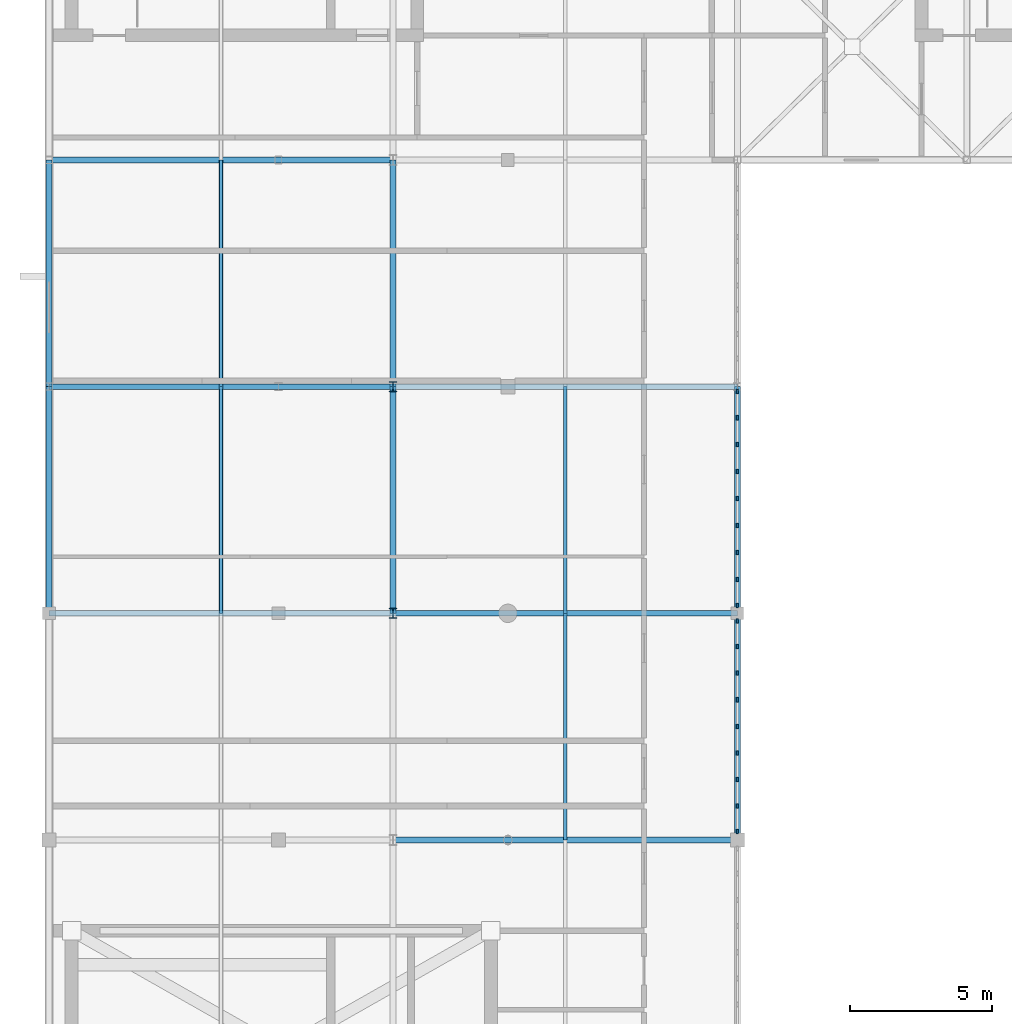
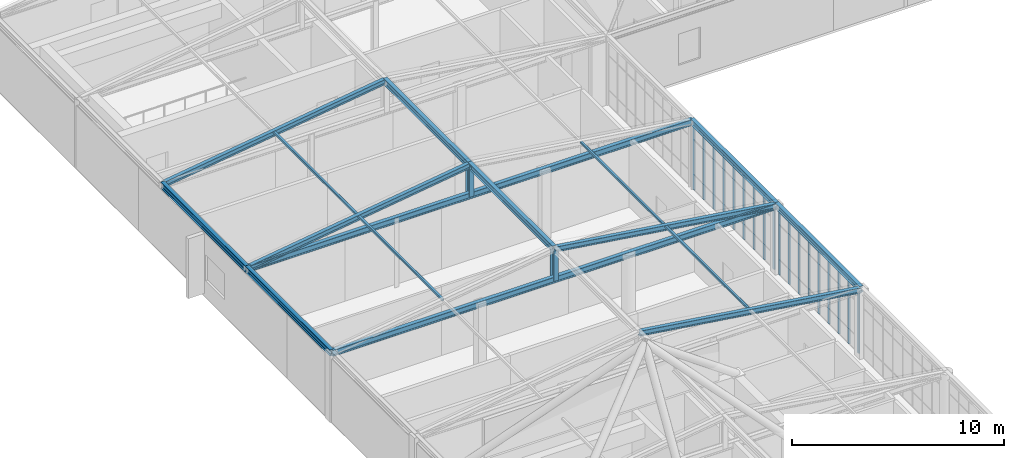
# One storey, part 5 of 21: 28 members, 8 beams, 2 elements without a shape of their own.
"""IFC4 building model written with IfcOpenShell, lengths in metres."""

from ifc_helpers import new_model, si_unit, direction, frame, origin, origin_2d, place, context, subcontext, project, spatial, rectangle, hollow_rectangle, i_section, extrude, material, material_profile, profile_set, type_object, element, aggregate, save


model = new_model("IFC4")

# Units and contexts
model_context = context("Model", 3, precision=1e-05, world=origin(), true_north=direction((0.0, 1.0)))
body_context = subcontext(model_context, "Body", "Model", "MODEL_VIEW")
ifc_project = project(units=[si_unit("LENGTHUNIT", "METRE"), si_unit("AREAUNIT", "SQUARE_METRE"), si_unit("VOLUMEUNIT", "CUBIC_METRE"), si_unit("PLANEANGLEUNIT", "RADIAN"), si_unit("MASSUNIT", "GRAM", prefix="KILO")], contexts=[model_context])

# Site, building, storey
site_placement = place(None, origin())
site = spatial("IfcSite", under=ifc_project, at=site_placement, CompositionType="ELEMENT")
building_placement = place(site_placement, origin())
building = spatial("IfcBuilding", under=site, at=building_placement, Name="Tarnveldt Square Police Headquarters", CompositionType="ELEMENT")
storey_placement = place(building_placement, frame((0.0, 0.0, 33.300048828125)))
storey = spatial("IfcBuildingStorey", under=building, at=storey_placement, Name="L07", CompositionType="ELEMENT", Elevation=33.300048828125)

# Beams
ifc_material_1 = material(Name="Steel 350W", Category="steel")
ifc_material_profile_1 = material_profile(ifc_material_1, i_section(OverallWidth=0.205078125, OverallDepth=0.35400390625, WebThickness=0.009521484375, FlangeThickness=0.016845703125, FilletRadius=0.01611328125, at=origin_2d()), Name="W360x79")
ifc_profile_set_1 = profile_set([ifc_material_profile_1], Name="Steel 350W")
beam_type = type_object("IfcBeamType", Name="BM-W360x79", PredefinedType="JOIST", material=ifc_profile_set_1)
for number, where, z_axis, x_axis, name in (
    (1, (16.199951171875, 80.0, 3.83984375), (1.0, 0.0, 0.0), (0.0, 1.0, 0.0), "L07 Roof Tie Girder 80"),
    (2, (16.199951171875, 88.0, 3.83984375), (1.0, 0.0, 0.0), (0.0, 1.0, 0.0), "L07 Roof Tie Girder 88"),
):
    element("IfcBeam", number, at=place(storey_placement, frame(where, z_axis=z_axis, x_axis=x_axis)), inside=storey, type_object=beam_type, Name=name, PredefinedType="JOIST", context=body_context, shape_type="SweptSolid", body=[
        extrude(i_section(OverallWidth=0.205078125, OverallDepth=0.35400390625, WebThickness=0.009521484375, FlangeThickness=0.016845703125, FilletRadius=0.01611328125, at=origin_2d()), origin(), (0.0, 0.0, 1.0), 24.300048828125),
    ])
for number, where, z_axis, x_axis, name in (
    (3, (40.5, 72.0, 3.83984375), (0.0, 1.0, 0.0), (-1.0, 0.0, 0.0), "L07 Eave Girder E-3"),
    (4, (16.199951171875, 80.0, 3.83984375), (0.0, 1.0, 0.0), (-1.0, 0.0, 0.0), "L07 Eave Girder W-4"),
    (5, (40.5, 80.0, 3.83984375), (0.0, 1.0, 0.0), (-1.0, 0.0, 0.0), "L07 Eave Girder E-4"),
    (6, (28.35009765625, 80.0, 5.579833984375), (0.0, 1.0, 0.0), (-1.0, 0.0, 0.0), "L07 Ridge Beam 4"),
    (7, (16.199951171875, 88.0, 3.83984375), (0.0, 1.0, 0.0), (-1.0, 0.0, 0.0), "L07 Eave Girder W-5"),
    (8, (28.35009765625, 88.0, 5.579833984375), (0.0, 1.0, 0.0), (-1.0, 0.0, 0.0), "L07 Ridge Beam 5"),
):
    element("IfcBeam", number, at=place(storey_placement, frame(where, z_axis=z_axis, x_axis=x_axis)), inside=storey, type_object=beam_type, Name=name, PredefinedType="JOIST", context=body_context, shape_type="SweptSolid", body=[
        extrude(i_section(OverallWidth=0.205078125, OverallDepth=0.35400390625, WebThickness=0.009521484375, FlangeThickness=0.016845703125, FilletRadius=0.01611328125, at=origin_2d()), origin(), (0.0, 0.0, 1.0), 8.0),
    ])

# Curtain wall, members
ifc_material_2 = material(Name="Triple-glazed low-e laminated vision glass", Category="glass")
curtain_wall_type_1 = type_object("IfcCurtainWallType", Name="CW-UP-750x366", PredefinedType="USERDEFINED", material=ifc_material_2)
curtain_wall_1_placement = place(storey_placement, origin())
curtain_wall_1 = element("IfcCurtainWall", 9, at=curtain_wall_1_placement, inside=storey, type_object=curtain_wall_type_1, Name="L07 Curtain Wall CW-L07-096", ObjectType="GLAZED CURTAIN WALL", PredefinedType="USERDEFINED")
ifc_material_3 = material(Name="Thermally broken anodised aluminium 6063-T6", Category="aluminium")
ifc_material_profile_2 = material_profile(ifc_material_3, rectangle(XDim=0.06494140625, YDim=0.159912109375, at=origin_2d()), Name="CW-M65x160")
ifc_profile_set_2 = profile_set([ifc_material_profile_2], Name="Thermally broken anodised aluminium 6063-T6")
member_type_1 = type_object("IfcMemberType", Name="CWM-65x160", PredefinedType="MULLION", material=ifc_profile_set_2)
member_1_placement = place(storey_placement, frame((40.5, 72.297607421875, 0.0), z_axis=(0.0, 0.0, 1.0), x_axis=(-1.0, 0.0, 0.0)))
member_1 = element("IfcMember", 10, at=member_1_placement, type_object=member_type_1, Name="CW-UP53 mullion 1", PredefinedType="MULLION", context=body_context, shape_type="SweptSolid", body=[
    extrude(rectangle(XDim=0.06494140625, YDim=0.159912109375, at=origin_2d()), origin(), (0.0, 0.0, 1.0), 3.655029296875),
])
member_2_placement = place(storey_placement, frame((40.5, 73.201904296875, 0.0), z_axis=(0.0, 0.0, 1.0), x_axis=(-1.0, 0.0, 0.0)))
member_2 = element("IfcMember", 11, at=member_2_placement, type_object=member_type_1, Name="CW-UP53 mullion 2", PredefinedType="MULLION", context=body_context, shape_type="SweptSolid", body=[
    extrude(rectangle(XDim=0.06494140625, YDim=0.159912109375, at=origin_2d()), origin(), (0.0, 0.0, 1.0), 3.655029296875),
])
member_3_placement = place(storey_placement, frame((40.5, 74.138671875, 0.0), z_axis=(0.0, 0.0, 1.0), x_axis=(-1.0, 0.0, 0.0)))
member_3 = element("IfcMember", 12, at=member_3_placement, type_object=member_type_1, Name="CW-UP53 mullion 3", PredefinedType="MULLION", context=body_context, shape_type="SweptSolid", body=[
    extrude(rectangle(XDim=0.06494140625, YDim=0.159912109375, at=origin_2d()), origin(), (0.0, 0.0, 1.0), 3.655029296875),
])
member_4_placement = place(storey_placement, frame((40.5, 75.07568359375, 0.0), z_axis=(0.0, 0.0, 1.0), x_axis=(-1.0, 0.0, 0.0)))
member_4 = element("IfcMember", 13, at=member_4_placement, type_object=member_type_1, Name="CW-UP53 mullion 4", PredefinedType="MULLION", context=body_context, shape_type="SweptSolid", body=[
    extrude(rectangle(XDim=0.06494140625, YDim=0.159912109375, at=origin_2d()), origin(), (0.0, 0.0, 1.0), 3.655029296875),
])
member_5_placement = place(storey_placement, frame((40.5, 76.012451171875, 0.0), z_axis=(0.0, 0.0, 1.0), x_axis=(-1.0, 0.0, 0.0)))
member_5 = element("IfcMember", 14, at=member_5_placement, type_object=member_type_1, Name="CW-UP53 mullion 5", PredefinedType="MULLION", context=body_context, shape_type="SweptSolid", body=[
    extrude(rectangle(XDim=0.06494140625, YDim=0.159912109375, at=origin_2d()), origin(), (0.0, 0.0, 1.0), 3.655029296875),
])
member_6_placement = place(storey_placement, frame((40.5, 76.949462890625, 0.0), z_axis=(0.0, 0.0, 1.0), x_axis=(-1.0, 0.0, 0.0)))
member_6 = element("IfcMember", 15, at=member_6_placement, type_object=member_type_1, Name="CW-UP53 mullion 6", PredefinedType="MULLION", context=body_context, shape_type="SweptSolid", body=[
    extrude(rectangle(XDim=0.06494140625, YDim=0.159912109375, at=origin_2d()), origin(), (0.0, 0.0, 1.0), 3.655029296875),
])
member_7_placement = place(storey_placement, frame((40.5, 77.88623046875, 0.0), z_axis=(0.0, 0.0, 1.0), x_axis=(-1.0, 0.0, 0.0)))
member_7 = element("IfcMember", 16, at=member_7_placement, type_object=member_type_1, Name="CW-UP53 mullion 7", PredefinedType="MULLION", context=body_context, shape_type="SweptSolid", body=[
    extrude(rectangle(XDim=0.06494140625, YDim=0.159912109375, at=origin_2d()), origin(), (0.0, 0.0, 1.0), 3.655029296875),
])
member_8_placement = place(storey_placement, frame((40.5, 78.8232421875, 0.0), z_axis=(0.0, 0.0, 1.0), x_axis=(-1.0, 0.0, 0.0)))
member_8 = element("IfcMember", 17, at=member_8_placement, type_object=member_type_1, Name="CW-UP53 mullion 8", PredefinedType="MULLION", context=body_context, shape_type="SweptSolid", body=[
    extrude(rectangle(XDim=0.06494140625, YDim=0.159912109375, at=origin_2d()), origin(), (0.0, 0.0, 1.0), 3.655029296875),
])
member_9_placement = place(storey_placement, frame((40.5, 79.7275390625, 0.0), z_axis=(0.0, 0.0, 1.0), x_axis=(-1.0, 0.0, 0.0)))
member_9 = element("IfcMember", 18, at=member_9_placement, type_object=member_type_1, Name="CW-UP53 mullion 9", PredefinedType="MULLION", context=body_context, shape_type="SweptSolid", body=[
    extrude(rectangle(XDim=0.06494140625, YDim=0.159912109375, at=origin_2d()), origin(), (0.0, 0.0, 1.0), 3.655029296875),
])
aggregate(curtain_wall_1, [member_1, member_2, member_3, member_4, member_5, member_6, member_7, member_8, member_9])

curtain_wall_type_2 = type_object("IfcCurtainWallType", Name="CW-UP-762x366", PredefinedType="USERDEFINED", material=ifc_material_2)
curtain_wall_2_placement = place(storey_placement, origin())
curtain_wall_2 = element("IfcCurtainWall", 19, at=curtain_wall_2_placement, inside=storey, type_object=curtain_wall_type_2, Name="L07 Curtain Wall CW-L07-097", ObjectType="GLAZED CURTAIN WALL", PredefinedType="USERDEFINED")
member_10_placement = place(storey_placement, frame((40.5, 80.2724609375, 0.0), z_axis=(0.0, 0.0, 1.0), x_axis=(-1.0, 0.0, 0.0)))
member_10 = element("IfcMember", 20, at=member_10_placement, type_object=member_type_1, Name="CW-UP54 mullion 1", PredefinedType="MULLION", context=body_context, shape_type="SweptSolid", body=[
    extrude(rectangle(XDim=0.06494140625, YDim=0.159912109375, at=origin_2d()), origin(), (0.0, 0.0, 1.0), 3.655029296875),
])
member_11_placement = place(storey_placement, frame((40.5, 81.19189453125, 0.0), z_axis=(0.0, 0.0, 1.0), x_axis=(-1.0, 0.0, 0.0)))
member_11 = element("IfcMember", 21, at=member_11_placement, type_object=member_type_1, Name="CW-UP54 mullion 2", PredefinedType="MULLION", context=body_context, shape_type="SweptSolid", body=[
    extrude(rectangle(XDim=0.06494140625, YDim=0.159912109375, at=origin_2d()), origin(), (0.0, 0.0, 1.0), 3.655029296875),
])
member_12_placement = place(storey_placement, frame((40.5, 82.143798828125, 0.0), z_axis=(0.0, 0.0, 1.0), x_axis=(-1.0, 0.0, 0.0)))
member_12 = element("IfcMember", 22, at=member_12_placement, type_object=member_type_1, Name="CW-UP54 mullion 3", PredefinedType="MULLION", context=body_context, shape_type="SweptSolid", body=[
    extrude(rectangle(XDim=0.06494140625, YDim=0.159912109375, at=origin_2d()), origin(), (0.0, 0.0, 1.0), 3.655029296875),
])
member_13_placement = place(storey_placement, frame((40.5, 83.095703125, 0.0), z_axis=(0.0, 0.0, 1.0), x_axis=(-1.0, 0.0, 0.0)))
member_13 = element("IfcMember", 23, at=member_13_placement, type_object=member_type_1, Name="CW-UP54 mullion 4", PredefinedType="MULLION", context=body_context, shape_type="SweptSolid", body=[
    extrude(rectangle(XDim=0.06494140625, YDim=0.159912109375, at=origin_2d()), origin(), (0.0, 0.0, 1.0), 3.655029296875),
])
member_14_placement = place(storey_placement, frame((40.5, 84.047607421875, 0.0), z_axis=(0.0, 0.0, 1.0), x_axis=(-1.0, 0.0, 0.0)))
member_14 = element("IfcMember", 24, at=member_14_placement, type_object=member_type_1, Name="CW-UP54 mullion 5", PredefinedType="MULLION", context=body_context, shape_type="SweptSolid", body=[
    extrude(rectangle(XDim=0.06494140625, YDim=0.159912109375, at=origin_2d()), origin(), (0.0, 0.0, 1.0), 3.655029296875),
])
member_15_placement = place(storey_placement, frame((40.5, 84.999267578125, 0.0), z_axis=(0.0, 0.0, 1.0), x_axis=(-1.0, 0.0, 0.0)))
member_15 = element("IfcMember", 25, at=member_15_placement, type_object=member_type_1, Name="CW-UP54 mullion 6", PredefinedType="MULLION", context=body_context, shape_type="SweptSolid", body=[
    extrude(rectangle(XDim=0.06494140625, YDim=0.159912109375, at=origin_2d()), origin(), (0.0, 0.0, 1.0), 3.655029296875),
])
member_16_placement = place(storey_placement, frame((40.5, 85.951171875, 0.0), z_axis=(0.0, 0.0, 1.0), x_axis=(-1.0, 0.0, 0.0)))
member_16 = element("IfcMember", 26, at=member_16_placement, type_object=member_type_1, Name="CW-UP54 mullion 7", PredefinedType="MULLION", context=body_context, shape_type="SweptSolid", body=[
    extrude(rectangle(XDim=0.06494140625, YDim=0.159912109375, at=origin_2d()), origin(), (0.0, 0.0, 1.0), 3.655029296875),
])
member_17_placement = place(storey_placement, frame((40.5, 86.903076171875, 0.0), z_axis=(0.0, 0.0, 1.0), x_axis=(-1.0, 0.0, 0.0)))
member_17 = element("IfcMember", 27, at=member_17_placement, type_object=member_type_1, Name="CW-UP54 mullion 8", PredefinedType="MULLION", context=body_context, shape_type="SweptSolid", body=[
    extrude(rectangle(XDim=0.06494140625, YDim=0.159912109375, at=origin_2d()), origin(), (0.0, 0.0, 1.0), 3.655029296875),
])
member_18_placement = place(storey_placement, frame((40.5, 87.822509765625, 0.0), z_axis=(0.0, 0.0, 1.0), x_axis=(-1.0, 0.0, 0.0)))
member_18 = element("IfcMember", 28, at=member_18_placement, type_object=member_type_1, Name="CW-UP54 mullion 9", PredefinedType="MULLION", context=body_context, shape_type="SweptSolid", body=[
    extrude(rectangle(XDim=0.06494140625, YDim=0.159912109375, at=origin_2d()), origin(), (0.0, 0.0, 1.0), 3.655029296875),
])
aggregate(curtain_wall_2, [member_10, member_11, member_12, member_13, member_14, member_15, member_16, member_17, member_18])

# Members
ifc_material_profile_3 = material_profile(ifc_material_1, i_section(OverallWidth=0.257080078125, OverallDepth=0.363037109375, WebThickness=0.012939453125, FlangeThickness=0.021728515625, FilletRadius=0.01611328125, at=origin_2d()), Name="W360x122")
ifc_profile_set_3 = profile_set([ifc_material_profile_3], Name="Steel 350W")
member_type_2 = type_object("IfcMemberType", Name="MEM-CT-POST", PredefinedType="STRUT", material=ifc_profile_set_3)
for number, where, z_axis, x_axis, name in (
    (29, (28.35009765625, 80.0, 3.83984375), (0.0, 0.0, 1.0), (1.0, 0.0, 0.0), "L07 Roof King Post 80"),
    (30, (28.35009765625, 88.0, 3.83984375), (0.0, 0.0, 1.0), (1.0, 0.0, 0.0), "L07 Roof King Post 88"),
):
    element("IfcMember", number, at=place(storey_placement, frame(where, z_axis=z_axis, x_axis=x_axis)), inside=storey, type_object=member_type_2, Name=name, PredefinedType="STRUT", context=body_context, shape_type="SweptSolid", body=[
        extrude(i_section(OverallWidth=0.257080078125, OverallDepth=0.363037109375, WebThickness=0.012939453125, FlangeThickness=0.021728515625, FilletRadius=0.01611328125, at=origin_2d()), origin(), (0.0, 0.0, 1.0), 1.739990234375),
    ])
ifc_material_profile_4 = material_profile(ifc_material_1, hollow_rectangle(XDim=0.126953125, YDim=0.126953125, WallThickness=0.008056640625, InnerFilletRadius=0.008056640625, OuterFilletRadius=0.01611328125, at=origin_2d()), Name="HSS127x127x8.0")
ifc_profile_set_4 = profile_set([ifc_material_profile_4], Name="Steel 350W")
member_type_3 = type_object("IfcMemberType", Name="MEM-L07-PUR", PredefinedType="PURLIN", material=ifc_profile_set_4)
for number, where, z_axis, x_axis, name in (
    (31, (34.425048828125, 72.0, 4.760009765625), (0.0, 1.0, 0.0), (-1.0, 0.0, 0.0), "L07 Pitched Roof Purlin E-3"),
    (32, (22.27490234375, 80.0, 4.760009765625), (0.0, 1.0, 0.0), (-1.0, 0.0, 0.0), "L07 Pitched Roof Purlin W-4"),
    (33, (34.425048828125, 80.0, 4.760009765625), (0.0, 1.0, 0.0), (-1.0, 0.0, 0.0), "L07 Pitched Roof Purlin E-4"),
    (34, (22.27490234375, 88.0, 4.760009765625), (0.0, 1.0, 0.0), (-1.0, 0.0, 0.0), "L07 Pitched Roof Purlin W-5"),
):
    element("IfcMember", number, at=place(storey_placement, frame(where, z_axis=z_axis, x_axis=x_axis)), inside=storey, type_object=member_type_3, Name=name, PredefinedType="PURLIN", context=body_context, shape_type="SweptSolid", body=[
        extrude(hollow_rectangle(XDim=0.126953125, YDim=0.126953125, WallThickness=0.008056640625, InnerFilletRadius=0.008056640625, OuterFilletRadius=0.01611328125, at=origin_2d()), origin(), (0.0, 0.0, 1.0), 8.0),
    ])
ifc_material_profile_5 = material_profile(ifc_material_1, i_section(OverallWidth=0.202880859375, OverallDepth=0.302978515625, WebThickness=0.007568359375, FlangeThickness=0.01318359375, FilletRadius=0.014892578125, at=origin_2d()), Name="W310x60")
ifc_profile_set_5 = profile_set([ifc_material_profile_5], Name="Steel 350W")
member_type_4 = type_object("IfcMemberType", Name="MEM-L07-RAF", PredefinedType="RAFTER", material=ifc_profile_set_5)
for number, where, z_axis, x_axis, name in (
    (35, (28.35009765625, 72.0, 5.579833984375), (0.989900502297, 0.0, -0.141763872521), (0.0, 1.0, 0.0), "L07 Pitched Roof Rafter E-72"),
    (36, (28.35009765625, 80.0, 5.579833984375), (0.989900502297, 0.0, -0.141763872521), (0.0, 1.0, 0.0), "L07 Pitched Roof Rafter E-80"),
):
    element("IfcMember", number, at=place(storey_placement, frame(where, z_axis=z_axis, x_axis=x_axis)), inside=storey, type_object=member_type_4, Name=name, PredefinedType="RAFTER", context=body_context, shape_type="SweptSolid", body=[
        extrude(i_section(OverallWidth=0.202880859375, OverallDepth=0.302978515625, WebThickness=0.007568359375, FlangeThickness=0.01318359375, FilletRadius=0.014892578125, at=origin_2d()), origin(), (0.0, 0.0, 1.0), 12.27392578125),
    ])
for number, where, z_axis, x_axis, name in (
    (37, (16.199951171875, 88.0, 3.83984375), (0.989900902037, 0.0, 0.141761081215), (0.0, 1.0, 0.0), "L07 Pitched Roof Rafter W-88"),
    (38, (16.199951171875, 96.0, 3.83984375), (0.989900902037, 0.0, 0.141761081215), (0.0, 1.0, 0.0), "L07 Pitched Roof Rafter W-96"),
):
    element("IfcMember", number, at=place(storey_placement, frame(where, z_axis=z_axis, x_axis=x_axis)), inside=storey, type_object=member_type_4, Name=name, PredefinedType="RAFTER", context=body_context, shape_type="SweptSolid", body=[
        extrude(i_section(OverallWidth=0.202880859375, OverallDepth=0.302978515625, WebThickness=0.007568359375, FlangeThickness=0.01318359375, FilletRadius=0.014892578125, at=origin_2d()), origin(), (0.0, 0.0, 1.0), 12.274169921875),
    ])

save(model, "model.ifc")
